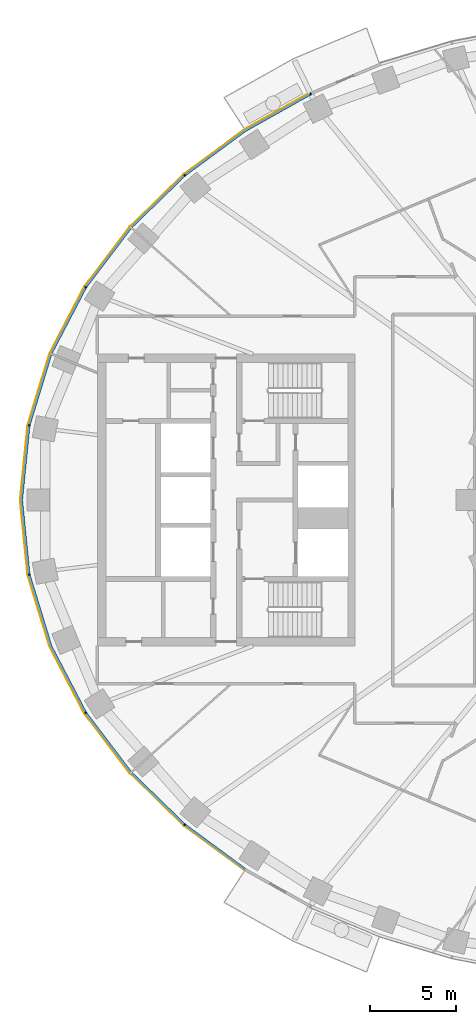
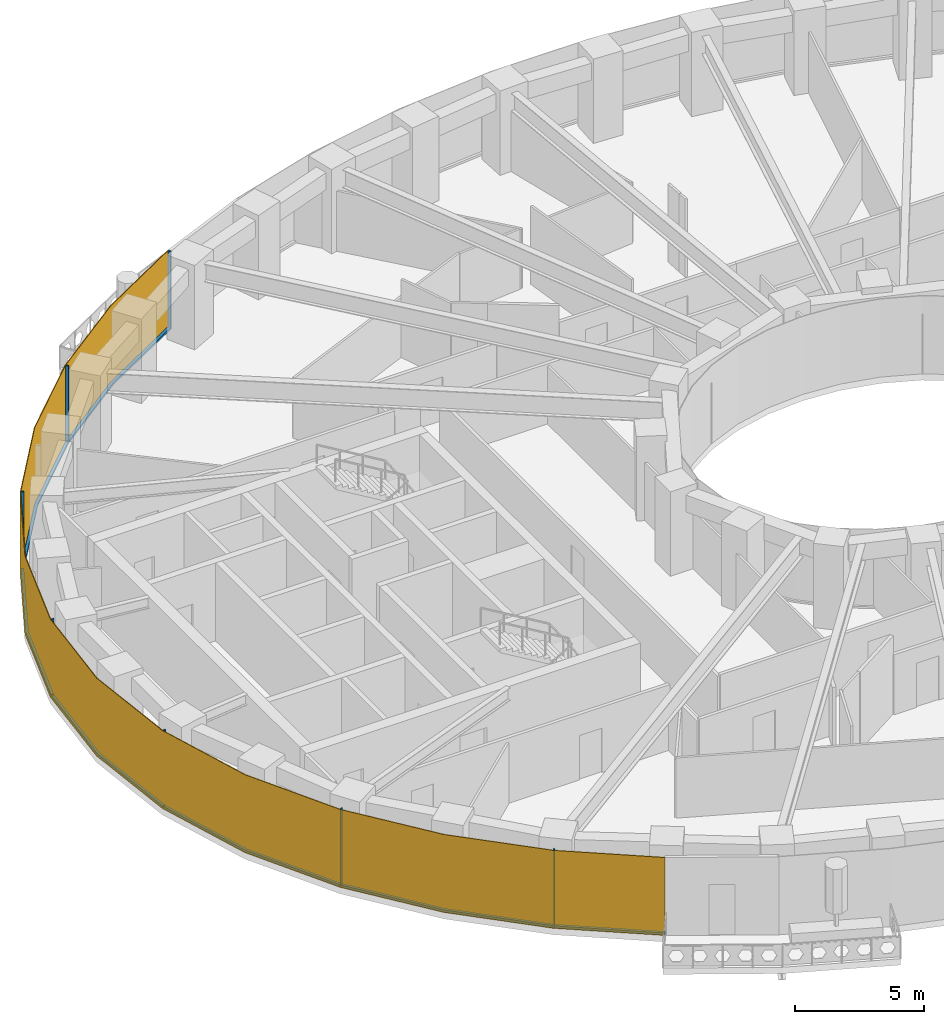
# One storey, part 8 of 15: 14 members, 1 curtain wall.
"""IFC4 building model written with IfcOpenShell, lengths in metres."""

from ifc_helpers import new_model, si_unit, direction, frame, origin, origin_2d, place, context, subcontext, project, spatial, polyline, rectangle, outline, extrude, material, layer, layer_set, material_profile, profile_set, type_object, element, aggregate, save


model = new_model("IFC4")

# Units and contexts
model_context = context("Model", 3, precision=1e-05, world=origin(), true_north=direction((0.0, 1.0)))
body_context = subcontext(model_context, "Body", "Model", "MODEL_VIEW")
ifc_project = project(units=[si_unit("LENGTHUNIT", "METRE"), si_unit("AREAUNIT", "SQUARE_METRE"), si_unit("VOLUMEUNIT", "CUBIC_METRE"), si_unit("PLANEANGLEUNIT", "RADIAN"), si_unit("MASSUNIT", "GRAM", prefix="KILO")], contexts=[model_context])

# Member
ifc_material_1 = material(Name="Aluminium 6063-T6 black anodised", Category="aluminium")
ifc_material_profile = material_profile(ifc_material_1, rectangle(XDim=0.1201171875, YDim=0.06005859375, at=origin_2d()), Name="120x60")
ifc_profile_set = profile_set([ifc_material_profile], Name="Aluminium 6063-T6 black anodised")
member_type_1 = type_object("IfcMemberType", Name="ENV-MULLION-A-120", PredefinedType="MULLION", material=ifc_profile_set)
site_placement = place(None, origin())
building_placement = place(site_placement, origin())
storey_placement = place(building_placement, frame((0.0, 0.0, 92.0)))
member_1_placement = place(storey_placement, frame((-19.06787109375, 23.6474609375, 0.0), z_axis=(0.0, 0.0, 1.0), x_axis=(0.439237769837, -0.898370848563, 0.0)))
member_1 = element("IfcMember", 1, at=member_1_placement, type_object=member_type_1, Name="Mullion A radial 17", PredefinedType="MULLION", context=body_context, shape_type="SweptSolid", body=[
    extrude(rectangle(XDim=0.1201171875, YDim=0.06005859375, at=origin_2d()), origin(), (0.0, 0.0, 1.0), 3.699951171875),
])

member_2_placement = place(storey_placement, frame((-26.403564453125, 18.9130859375, 0.0), z_axis=(0.0, 0.0, 1.0), x_axis=(0.646451313783, -0.762955240435, 0.0)))
member_2 = element("IfcMember", 2, at=member_2_placement, type_object=member_type_1, Name="Mullion A radial 19", PredefinedType="MULLION", context=body_context, shape_type="SweptSolid", body=[
    extrude(rectangle(XDim=0.1201171875, YDim=0.06005859375, at=origin_2d()), origin(), (0.0, 0.0, 1.0), 3.699951171875),
])

member_3_placement = place(storey_placement, frame((-32.177490234375, 12.385498046875, 0.0), z_axis=(0.0, 0.0, 1.0), x_axis=(0.844829880882, -0.53503501976, 0.0)))
member_3 = element("IfcMember", 3, at=member_3_placement, type_object=member_type_1, Name="Mullion A radial 21", PredefinedType="MULLION", context=body_context, shape_type="SweptSolid", body=[
    extrude(rectangle(XDim=0.1201171875, YDim=0.06005859375, at=origin_2d()), origin(), (0.0, 0.0, 1.0), 3.699951171875),
])

member_4_placement = place(storey_placement, frame((-35.470947265625, 4.340576171875, 0.0), z_axis=(0.0, 0.0, 1.0), x_axis=(0.980379083141, -0.19712141776, 0.0)))
member_4 = element("IfcMember", 4, at=member_4_placement, type_object=member_type_1, Name="Mullion A radial 23", PredefinedType="MULLION", context=body_context, shape_type="SweptSolid", body=[
    extrude(rectangle(XDim=0.1201171875, YDim=0.06005859375, at=origin_2d()), origin(), (0.0, 0.0, 1.0), 3.699951171875),
])

member_5_placement = place(storey_placement, frame((-35.470947265625, -4.340576171875, 0.0), z_axis=(0.0, 0.0, 1.0), x_axis=(0.980379083141, 0.19712141776, 0.0)))
member_5 = element("IfcMember", 5, at=member_5_placement, type_object=member_type_1, Name="Mullion A radial 25", PredefinedType="MULLION", context=body_context, shape_type="SweptSolid", body=[
    extrude(rectangle(XDim=0.1201171875, YDim=0.06005859375, at=origin_2d()), origin(), (0.0, 0.0, 1.0), 3.699951171875),
])

member_6_placement = place(storey_placement, frame((-32.177490234375, -12.385498046875, 0.0), z_axis=(0.0, 0.0, 1.0), x_axis=(0.844829880882, 0.53503501976, 0.0)))
member_6 = element("IfcMember", 6, at=member_6_placement, type_object=member_type_1, Name="Mullion A radial 27", PredefinedType="MULLION", context=body_context, shape_type="SweptSolid", body=[
    extrude(rectangle(XDim=0.1201171875, YDim=0.06005859375, at=origin_2d()), origin(), (0.0, 0.0, 1.0), 3.699951171875),
])

member_7_placement = place(storey_placement, frame((-26.403564453125, -18.9130859375, 0.0), z_axis=(0.0, 0.0, 1.0), x_axis=(0.646451313783, 0.762955240435, 0.0)))
member_7 = element("IfcMember", 7, at=member_7_placement, type_object=member_type_1, Name="Mullion A radial 29", PredefinedType="MULLION", context=body_context, shape_type="SweptSolid", body=[
    extrude(rectangle(XDim=0.1201171875, YDim=0.06005859375, at=origin_2d()), origin(), (0.0, 0.0, 1.0), 3.699951171875),
])

ifc_material_2 = material(Name="Aluminium 6063-T6 black anodised", Category="aluminium")
member_type_2 = type_object("IfcMemberType", Name="ENV-TRANSOM-A", PredefinedType="USERDEFINED", material=ifc_material_2)
member_8_placement = place(storey_placement, origin())
member_8 = element("IfcMember", 8, at=member_8_placement, type_object=member_type_2, Name="Transom A radial 17-19", ObjectType="TRANSOM", PredefinedType="USERDEFINED", context=body_context, shape_type="SweptSolid", body=[
    extrude(outline(polyline([(-19.11865234375, 23.687744140625), (-22.9150390625, 21.556884765625), (-26.419921875, 18.975341796875), (-26.342041015625, 18.883544921875), (-22.85009765625, 21.455810546875), (-19.06591796875, 23.57958984375), (-19.11865234375, 23.687744140625)])), origin(), (0.0, 0.0, 1.0), 0.10009765625),
])

member_9_placement = place(storey_placement, origin())
member_9 = element("IfcMember", 9, at=member_9_placement, type_object=member_type_2, Name="Transom A radial 19-21", ObjectType="TRANSOM", PredefinedType="USERDEFINED", context=body_context, shape_type="SweptSolid", body=[
    extrude(outline(polyline([(-26.46240234375, 18.939208984375), (-29.58349609375, 15.906982421875), (-32.211181640625, 12.43994140625), (-32.109375, 12.37548828125), (-29.493408203125, 15.8271484375), (-26.384765625, 18.847412109375), (-26.46240234375, 18.939208984375)])), origin(), (0.0, 0.0, 1.0), 0.10009765625),
])

member_10_placement = place(storey_placement, origin())
member_10 = element("IfcMember", 10, at=member_10_placement, type_object=member_type_2, Name="Transom A radial 21-23", ObjectType="TRANSOM", PredefinedType="USERDEFINED", context=body_context, shape_type="SweptSolid", body=[
    extrude(outline(polyline([(-32.240966796875, 12.392578125), (-34.251220703125, 8.53662109375), (-35.521484375, 4.379150390625), (-35.4033203125, 4.355224609375), (-34.139892578125, 8.490966796875), (-32.139404296875, 12.328369140625), (-32.240966796875, 12.392578125)])), origin(), (0.0, 0.0, 1.0), 0.10009765625),
])

member_11_placement = place(storey_placement, origin())
member_11 = element("IfcMember", 11, at=member_11_placement, type_object=member_type_2, Name="Transom A radial 23-25", ObjectType="TRANSOM", PredefinedType="USERDEFINED", context=body_context, shape_type="SweptSolid", body=[
    extrude(outline(polyline([(-35.532470703125, 4.324462890625), (-35.9677734375, 0.0), (-35.532470703125, -4.324462890625), (-35.414306640625, -4.30078125), (-35.84716796875, 0.0), (-35.414306640625, 4.30078125), (-35.532470703125, 4.324462890625)])), origin(), (0.0, 0.0, 1.0), 0.10009765625),
])

member_12_placement = place(storey_placement, origin())
member_12 = element("IfcMember", 12, at=member_12_placement, type_object=member_type_2, Name="Transom A radial 25-27", ObjectType="TRANSOM", PredefinedType="USERDEFINED", context=body_context, shape_type="SweptSolid", body=[
    extrude(outline(polyline([(-35.521484375, -4.379150390625), (-34.251220703125, -8.53662109375), (-32.240966796875, -12.392578125), (-32.139404296875, -12.328369140625), (-34.139892578125, -8.490966796875), (-35.4033203125, -4.355224609375), (-35.521484375, -4.379150390625)])), origin(), (0.0, 0.0, 1.0), 0.10009765625),
])

member_13_placement = place(storey_placement, origin())
member_13 = element("IfcMember", 13, at=member_13_placement, type_object=member_type_2, Name="Transom A radial 27-29", ObjectType="TRANSOM", PredefinedType="USERDEFINED", context=body_context, shape_type="SweptSolid", body=[
    extrude(outline(polyline([(-32.211181640625, -12.43994140625), (-29.58349609375, -15.906982421875), (-26.46240234375, -18.939208984375), (-26.384765625, -18.847412109375), (-29.493408203125, -15.8271484375), (-32.109375, -12.37548828125), (-32.211181640625, -12.43994140625)])), origin(), (0.0, 0.0, 1.0), 0.10009765625),
])

member_14_placement = place(storey_placement, origin())
member_14 = element("IfcMember", 14, at=member_14_placement, type_object=member_type_2, Name="Transom A radial 29-30", ObjectType="TRANSOM", PredefinedType="USERDEFINED", context=body_context, shape_type="SweptSolid", body=[
    extrude(outline(polyline([(-26.419921875, -18.975341796875), (-22.931396484375, -21.544921875), (-22.8662109375, -21.444091796875), (-26.342041015625, -18.883544921875), (-26.419921875, -18.975341796875)])), origin(), (0.0, 0.0, 1.0), 0.10009765625),
])

# Site, building, storey
site = spatial("IfcSite", under=ifc_project, at=site_placement, CompositionType="ELEMENT")
building = spatial("IfcBuilding", under=site, at=building_placement, Name="Noorbagh Ring Tower", CompositionType="ELEMENT")
storey = spatial("IfcBuildingStorey", under=building, at=storey_placement, Name="L20", CompositionType="ELEMENT", Elevation=92.0)

# Curtain wall
ifc_material_3 = material(Name="Glass dark tinted laminated", Category="glass")
ifc_layer = layer(ifc_material_3, 0.031982421875)
ifc_layer_set = layer_set([ifc_layer], Name="Glass dark tinted laminated")
curtain_wall_type = type_object("IfcCurtainWallType", Name="ENV-CW-A", PredefinedType="NOTDEFINED", material=ifc_layer_set)
curtain_wall_placement = place(storey_placement, origin())
curtain_wall = element("IfcCurtainWall", 15, at=curtain_wall_placement, inside=storey, type_object=curtain_wall_type, Name="Curtain wall A R17", PredefinedType="NOTDEFINED", context=body_context, shape_type="SweptSolid", body=[
    extrude(outline(polyline([(-19.125732421875, 23.720458984375), (-22.9326171875, 21.583740234375), (-26.463134765625, 18.9833984375), (-29.607666015625, 15.927978515625), (-32.255126953125, 12.434814453125), (-34.281005859375, 8.548828125), (-35.561279296875, 4.358642578125), (-36.0, 0.0), (-35.561279296875, -4.358642578125), (-34.281005859375, -8.548828125), (-32.255126953125, -12.434814453125), (-29.607666015625, -15.927978515625), (-26.463134765625, -18.9833984375), (-22.948486328125, -21.572021484375), (-22.931396484375, -21.544921875), (-26.4423828125, -18.958740234375), (-29.58349609375, -15.906982421875), (-32.22802734375, -12.41748046875), (-34.251220703125, -8.53662109375), (-35.529541015625, -4.352294921875), (-35.9677734375, 0.0), (-35.529541015625, 4.352294921875), (-34.251220703125, 8.53662109375), (-32.22802734375, 12.41748046875), (-29.58349609375, 15.906982421875), (-26.4423828125, 18.958740234375), (-22.9150390625, 21.556884765625), (-19.111572265625, 23.691650390625), (-19.125732421875, 23.720458984375)])), origin(), (0.0, 0.0, 1.0), 3.699951171875),
])

aggregate(curtain_wall, [member_1, member_2, member_3, member_4, member_5, member_6, member_7, member_8, member_9, member_10, member_11, member_12, member_13, member_14])

save(model, "model.ifc")
